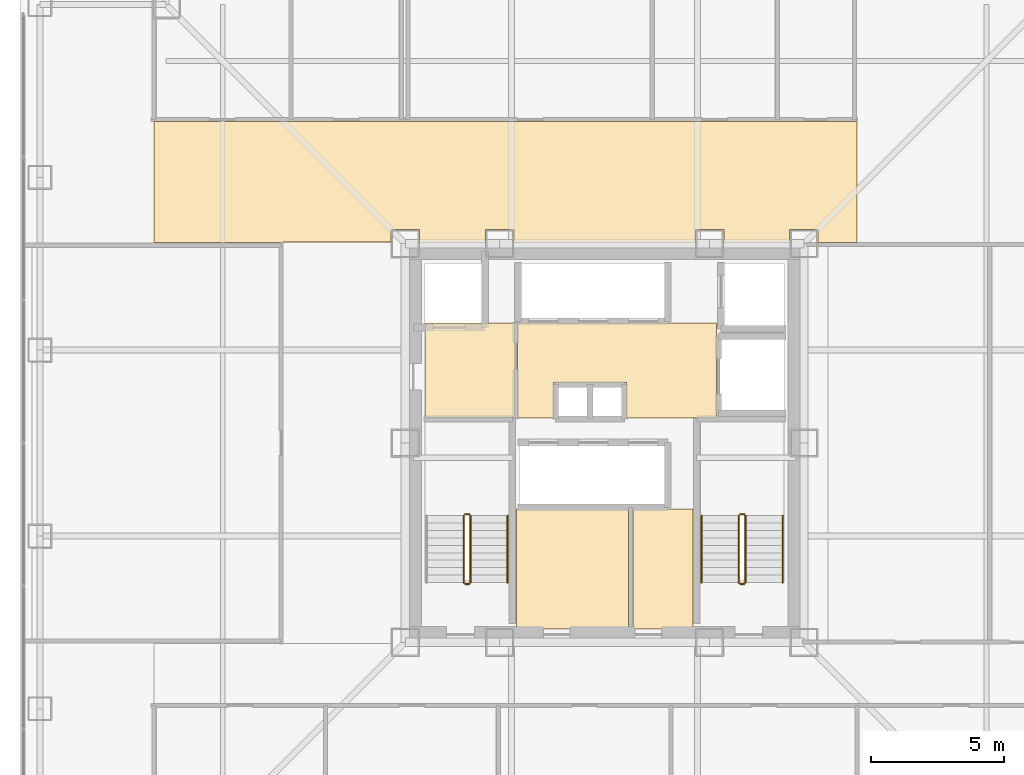
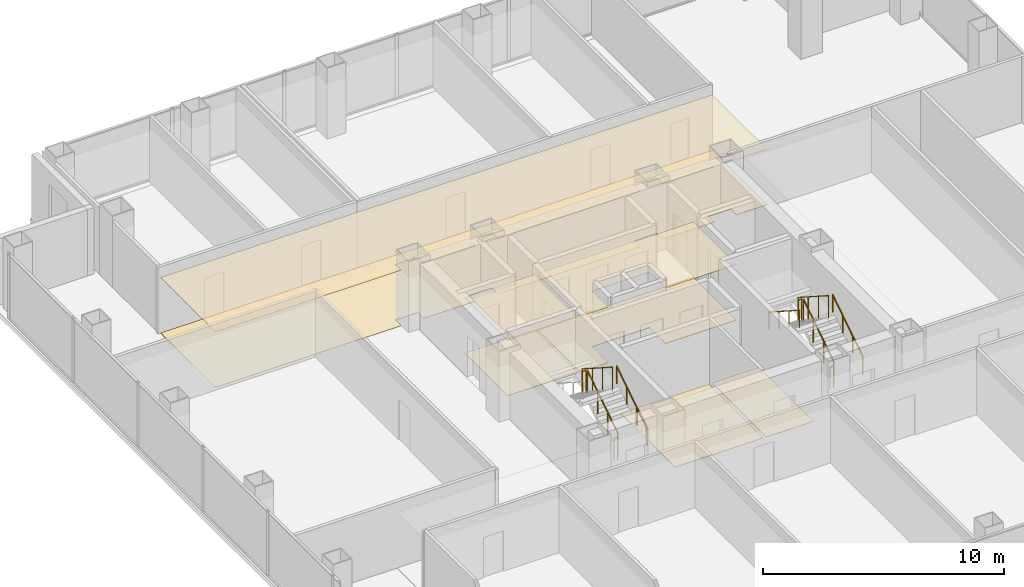
# One storey, part 16 of 17: 11 railings, 8 coverings.
"""IFC4 building model written with IfcOpenShell, lengths in metres."""

from ifc_helpers import new_model, si_unit, direction, frame, origin, origin_2d, place, context, subcontext, project, spatial, polyline, circle, outline, extrude, material, layer, layer_set, type_object, element, save


model = new_model("IFC4")

# Units and contexts
model_context = context("Model", 3, precision=1e-05, world=origin(), true_north=direction((0.0, 1.0)))
body_context = subcontext(model_context, "Body", "Model", "MODEL_VIEW")
ifc_project = project(units=[si_unit("LENGTHUNIT", "METRE"), si_unit("AREAUNIT", "SQUARE_METRE"), si_unit("VOLUMEUNIT", "CUBIC_METRE"), si_unit("PLANEANGLEUNIT", "RADIAN"), si_unit("MASSUNIT", "GRAM", prefix="KILO")], contexts=[model_context])

# Site, building, storey
site_placement = place(None, origin())
site = spatial("IfcSite", under=ifc_project, at=site_placement, CompositionType="ELEMENT")
building_placement = place(site_placement, origin())
building = spatial("IfcBuilding", under=site, at=building_placement, Name="Trevonay Congress Spire", CompositionType="ELEMENT")
storey_placement = place(building_placement, frame((0.0, 0.0, 108.39990234375)))
storey = spatial("IfcBuildingStorey", under=building, at=storey_placement, Name="L27", CompositionType="ELEMENT", Elevation=108.39990234375)

# Coverings
ifc_material_1 = material(Name="Acoustic Mineral Fibre Board", Category="gypsum")
ifc_layer_1 = layer(ifc_material_1, 0.02490234375, Name="Acoustic Mineral Fibre Board")
ifc_layer_set_1 = layer_set([ifc_layer_1], Name="Acoustic Mineral Fibre Board")
covering_type_1 = type_object("IfcCoveringType", Name="COV-CEIL-ACOUSTIC", PredefinedType="CEILING", material=ifc_layer_set_1)
covering_1_placement = place(storey_placement, frame((0.0, 0.0, 2.81005859375)))
element("IfcCovering", 1, at=covering_1_placement, inside=storey, type_object=covering_type_1, Name="L27 Firefighting Lift Lobby West acoustic suspended ceiling", PredefinedType="CEILING", context=body_context, shape_type="SweptSolid", body=[
    extrude(outline(polyline([(-6.75, 0.9599609375), (-3.3798828125, 0.9599609375), (-3.3798828125, 4.52001953125), (-6.75, 4.52001953125), (-6.75, 0.9599609375)])), origin(), (0.0, 0.0, 1.0), 0.025146484375),
])
covering_2_placement = place(storey_placement, frame((0.0, 0.0, 2.81005859375)))
element("IfcCovering", 2, at=covering_2_placement, inside=storey, type_object=covering_type_1, Name="L27 Central and High-Rise Passenger Lift Lobby acoustic suspended ceiling", PredefinedType="CEILING", context=body_context, shape_type="SweptSolid", body=[
    extrude(outline(polyline([(-3.280029296875, 0.949951171875), (-1.919921875, 0.949951171875), (-1.919921875, 2.280029296875), (0.820068359375, 2.280029296875), (0.820068359375, 0.949951171875), (4.219970703125, 0.949951171875), (4.219970703125, 4.52001953125), (-3.280029296875, 4.52001953125), (-3.280029296875, 0.949951171875)])), origin(), (0.0, 0.0, 1.0), 0.025146484375),
])
covering_3_placement = place(storey_placement, frame((0.0, 0.0, 2.81005859375)))
element("IfcCovering", 3, at=covering_3_placement, inside=storey, type_object=covering_type_1, Name="L27 North Sky Promenade Salon acoustic suspended ceiling", PredefinedType="CEILING", context=body_context, shape_type="SweptSolid", body=[
    extrude(outline(polyline([(-16.949951171875, 12.10009765625), (9.5, 12.10009765625), (9.5, 7.550048828125), (8.034912109375, 7.550048828125), (8.034912109375, 8.034912109375), (6.965087890625, 8.034912109375), (6.965087890625, 7.550048828125), (4.485107421875, 7.550048828125), (4.485107421875, 8.034912109375), (3.4150390625, 8.034912109375), (3.4150390625, 7.550048828125), (-3.4150390625, 7.550048828125), (-3.4150390625, 8.034912109375), (-4.485107421875, 8.034912109375), (-4.485107421875, 7.550048828125), (-6.965087890625, 7.550048828125), (-6.965087890625, 8.034912109375), (-8.034912109375, 8.034912109375), (-8.034912109375, 7.56005859375), (-12.110107421875, 7.56005859375), (-12.110107421875, 7.550048828125), (-16.949951171875, 7.550048828125), (-16.949951171875, 12.10009765625)])), origin(), (0.0, 0.0, 1.0), 0.025146484375),
])
ifc_material_2 = material(Name="Polished Granite Floor Tile", Category="masonry")
ifc_layer_2 = layer(ifc_material_2, 0.02001953125, Name="Polished Granite Floor Tile")
ifc_layer_set_2 = layer_set([ifc_layer_2], Name="Polished Granite Floor Tile")
covering_type_2 = type_object("IfcCoveringType", Name="COV-FLOOR-STONE", PredefinedType="FLOORING", material=ifc_layer_set_2)
covering_4_placement = place(storey_placement, origin())
element("IfcCovering", 4, at=covering_4_placement, inside=storey, type_object=covering_type_2, Name="L27 Firefighting Lift Lobby West floor finish", PredefinedType="FLOORING", context=body_context, shape_type="SweptSolid", body=[
    extrude(outline(polyline([(-6.75, 0.9599609375), (-3.3798828125, 0.9599609375), (-3.3798828125, 4.52001953125), (-6.75, 4.52001953125), (-6.75, 0.9599609375)])), origin(), (0.0, 0.0, 1.0), 0.02001953125),
])
covering_5_placement = place(storey_placement, origin())
element("IfcCovering", 5, at=covering_5_placement, inside=storey, type_object=covering_type_2, Name="L27 Central and High-Rise Passenger Lift Lobby floor finish", PredefinedType="FLOORING", context=body_context, shape_type="SweptSolid", body=[
    extrude(outline(polyline([(-3.280029296875, 0.949951171875), (-1.919921875, 0.949951171875), (-1.919921875, 2.280029296875), (0.820068359375, 2.280029296875), (0.820068359375, 0.949951171875), (4.219970703125, 0.949951171875), (4.219970703125, 4.52001953125), (-3.280029296875, 4.52001953125), (-3.280029296875, 0.949951171875)])), origin(), (0.0, 0.0, 1.0), 0.02001953125),
])
covering_6_placement = place(storey_placement, origin())
element("IfcCovering", 6, at=covering_6_placement, inside=storey, type_object=covering_type_2, Name="L27 Translation Equipment Hub floor finish", PredefinedType="FLOORING", context=body_context, shape_type="SweptSolid", body=[
    extrude(outline(polyline([(-3.320068359375, -7.0), (0.89990234375, -7.0), (0.89990234375, -2.47998046875), (-3.320068359375, -2.47998046875), (-3.320068359375, -7.0)])), origin(), (0.0, 0.0, 1.0), 0.02001953125),
])
covering_7_placement = place(storey_placement, origin())
element("IfcCovering", 7, at=covering_7_placement, inside=storey, type_object=covering_type_2, Name="L27 Floor Supplies Store floor finish", PredefinedType="FLOORING", context=body_context, shape_type="SweptSolid", body=[
    extrude(outline(polyline([(1.06005859375, -7.0), (3.320068359375, -7.0), (3.320068359375, -2.47998046875), (1.06005859375, -2.47998046875), (1.06005859375, -7.0)])), origin(), (0.0, 0.0, 1.0), 0.02001953125),
])
ifc_material_3 = material(Name="Engineered Oak Flooring", Category="wood")
ifc_layer_3 = layer(ifc_material_3, 0.01806640625, Name="Engineered Oak Flooring")
ifc_layer_set_3 = layer_set([ifc_layer_3], Name="Engineered Oak Flooring")
covering_type_3 = type_object("IfcCoveringType", Name="COV-FLOOR-TIMBER", PredefinedType="FLOORING", material=ifc_layer_set_3)
covering_8_placement = place(storey_placement, origin())
element("IfcCovering", 8, at=covering_8_placement, inside=storey, type_object=covering_type_3, Name="L27 North Sky Promenade Salon floor finish", PredefinedType="FLOORING", context=body_context, shape_type="SweptSolid", body=[
    extrude(outline(polyline([(-16.949951171875, 12.10009765625), (9.5, 12.10009765625), (9.5, 7.550048828125), (8.034912109375, 7.550048828125), (8.034912109375, 8.034912109375), (6.965087890625, 8.034912109375), (6.965087890625, 7.550048828125), (4.485107421875, 7.550048828125), (4.485107421875, 8.034912109375), (3.4150390625, 8.034912109375), (3.4150390625, 7.550048828125), (-3.4150390625, 7.550048828125), (-3.4150390625, 8.034912109375), (-4.485107421875, 8.034912109375), (-4.485107421875, 7.550048828125), (-6.965087890625, 7.550048828125), (-6.965087890625, 8.034912109375), (-8.034912109375, 8.034912109375), (-8.034912109375, 7.56005859375), (-12.110107421875, 7.56005859375), (-12.110107421875, 7.550048828125), (-16.949951171875, 7.550048828125), (-16.949951171875, 12.10009765625)])), origin(), (0.0, 0.0, 1.0), 0.01806640625),
])

# Railings
ifc_material_4 = material(Name="Pale Anodised Aluminium EN AW-6063-T6", Category="aluminium")
railing_type_1 = type_object("IfcRailingType", Name="RAL-STAIR-GUARD-110", PredefinedType="GUARDRAIL", material=ifc_material_4)
railing_1_placement = place(storey_placement, frame((-5.050048828125, -5.25, 0.18017578125)))
element("IfcRailing", 9, at=railing_1_placement, inside=storey, type_object=railing_type_1, Name="L27 ST-1 stair guard 1", PredefinedType="GUARDRAIL", context=body_context, shape_type="SweptSolid", body=[
    extrude(circle(Radius=0.02392578125, at=origin_2d()), frame((0.0, 0.0, 1.1259765625), z_axis=(0.0, 0.841199657755, 0.540724639528), x_axis=(-1.0, 0.0, 0.0)), (0.0, 0.0, 1.0), 2.995849609375),
    extrude(circle(Radius=0.02099609375, at=origin_2d()), origin(), (0.0, 0.0, 1.0), 1.101806640625),
    extrude(circle(Radius=0.02099609375, at=origin_2d()), frame((0.0, 0.840087890625, 0.5400390625)), (0.0, 0.0, 1.0), 1.101806640625),
    extrude(circle(Radius=0.02099609375, at=origin_2d()), frame((0.0, 1.679931640625, 1.079833984375)), (0.0, 0.0, 1.0), 1.101806640625),
    extrude(circle(Radius=0.02099609375, at=origin_2d()), frame((0.0, 2.52001953125, 1.619873046875)), (0.0, 0.0, 1.0), 1.101806640625),
])
railing_2_placement = place(storey_placement, frame((-5.10009765625, -2.679931640625, 1.800048828125)))
element("IfcRailing", 10, at=railing_2_placement, inside=storey, type_object=railing_type_1, Name="L27 ST-1 stair guard 2", PredefinedType="GUARDRAIL", context=body_context, shape_type="SweptSolid", body=[
    extrude(circle(Radius=0.02392578125, at=origin_2d()), frame((0.0, 0.0, 1.1259765625), z_axis=(-1.0, 0.0, 0.0), x_axis=(0.0, -1.0, 0.0)), (0.0, 0.0, 1.0), 0.14990234375),
    extrude(circle(Radius=0.02099609375, at=origin_2d()), origin(), (0.0, 0.0, 1.0), 1.101806640625),
    extrude(circle(Radius=0.02099609375, at=origin_2d()), frame((-0.14990234375, 0.0, 0.0)), (0.0, 0.0, 1.0), 1.101806640625),
])
railing_3_placement = place(storey_placement, frame((-5.300048828125, -2.72998046875, 1.97998046875)))
element("IfcRailing", 11, at=railing_3_placement, inside=storey, type_object=railing_type_1, Name="L27 ST-1 stair guard 3", PredefinedType="GUARDRAIL", context=body_context, shape_type="SweptSolid", body=[
    extrude(circle(Radius=0.02392578125, at=origin_2d()), frame((0.0, 0.0, 1.1259765625), z_axis=(0.0, -0.841162588446, 0.540782303519), x_axis=(1.0, 0.0, 0.0)), (0.0, 0.0, 1.0), 2.995849609375),
    extrude(circle(Radius=0.02099609375, at=origin_2d()), origin(), (0.0, 0.0, 1.0), 1.101806640625),
    extrude(circle(Radius=0.02099609375, at=origin_2d()), frame((0.0, -0.840087890625, 0.5400390625)), (0.0, 0.0, 1.0), 1.101806640625),
    extrude(circle(Radius=0.02099609375, at=origin_2d()), frame((0.0, -1.679931640625, 1.080078125)), (0.0, 0.0, 1.0), 1.101806640625),
    extrude(circle(Radius=0.02099609375, at=origin_2d()), frame((0.0, -2.52001953125, 1.6201171875)), (0.0, 0.0, 1.0), 1.101806640625),
])
railing_4_placement = place(storey_placement, frame((-5.10009765625, -5.300048828125, 0.0)))
element("IfcRailing", 12, at=railing_4_placement, inside=storey, type_object=railing_type_1, Name="L27 ST-1 stair guard 4", PredefinedType="GUARDRAIL", context=body_context, shape_type="SweptSolid", body=[
    extrude(circle(Radius=0.02392578125, at=origin_2d()), frame((0.0, 0.0, 1.1259765625), z_axis=(-1.0, 0.0, 0.0), x_axis=(0.0, -1.0, 0.0)), (0.0, 0.0, 1.0), 0.14990234375),
    extrude(circle(Radius=0.02099609375, at=origin_2d()), origin(), (0.0, 0.0, 1.0), 1.101806640625),
    extrude(circle(Radius=0.02099609375, at=origin_2d()), frame((-0.14990234375, 0.0, 0.0)), (0.0, 0.0, 1.0), 1.101806640625),
])
railing_5_placement = place(storey_placement, frame((5.300048828125, -5.25, 0.18017578125)))
element("IfcRailing", 13, at=railing_5_placement, inside=storey, type_object=railing_type_1, Name="L27 ST-2 stair guard 1", PredefinedType="GUARDRAIL", context=body_context, shape_type="SweptSolid", body=[
    extrude(circle(Radius=0.02392578125, at=origin_2d()), frame((0.0, 0.0, 1.1259765625), z_axis=(0.0, 0.841199657755, 0.540724639528), x_axis=(-1.0, 0.0, 0.0)), (0.0, 0.0, 1.0), 2.995849609375),
    extrude(circle(Radius=0.02099609375, at=origin_2d()), origin(), (0.0, 0.0, 1.0), 1.101806640625),
    extrude(circle(Radius=0.02099609375, at=origin_2d()), frame((0.0, 0.840087890625, 0.5400390625)), (0.0, 0.0, 1.0), 1.101806640625),
    extrude(circle(Radius=0.02099609375, at=origin_2d()), frame((0.0, 1.679931640625, 1.079833984375)), (0.0, 0.0, 1.0), 1.101806640625),
    extrude(circle(Radius=0.02099609375, at=origin_2d()), frame((0.0, 2.52001953125, 1.619873046875)), (0.0, 0.0, 1.0), 1.101806640625),
])
railing_6_placement = place(storey_placement, frame((5.25, -2.679931640625, 1.800048828125)))
element("IfcRailing", 14, at=railing_6_placement, inside=storey, type_object=railing_type_1, Name="L27 ST-2 stair guard 2", PredefinedType="GUARDRAIL", context=body_context, shape_type="SweptSolid", body=[
    extrude(circle(Radius=0.02392578125, at=origin_2d()), frame((0.0, 0.0, 1.1259765625), z_axis=(-1.0, 0.0, 0.0), x_axis=(0.0, -1.0, 0.0)), (0.0, 0.0, 1.0), 0.14990234375),
    extrude(circle(Radius=0.02099609375, at=origin_2d()), origin(), (0.0, 0.0, 1.0), 1.101806640625),
    extrude(circle(Radius=0.02099609375, at=origin_2d()), frame((-0.14990234375, 0.0, 0.0)), (0.0, 0.0, 1.0), 1.101806640625),
])
railing_7_placement = place(storey_placement, frame((5.050048828125, -2.72998046875, 1.97998046875)))
element("IfcRailing", 15, at=railing_7_placement, inside=storey, type_object=railing_type_1, Name="L27 ST-2 stair guard 3", PredefinedType="GUARDRAIL", context=body_context, shape_type="SweptSolid", body=[
    extrude(circle(Radius=0.02392578125, at=origin_2d()), frame((0.0, 0.0, 1.1259765625), z_axis=(0.0, -0.841162588446, 0.540782303519), x_axis=(1.0, 0.0, 0.0)), (0.0, 0.0, 1.0), 2.995849609375),
    extrude(circle(Radius=0.02099609375, at=origin_2d()), origin(), (0.0, 0.0, 1.0), 1.101806640625),
    extrude(circle(Radius=0.02099609375, at=origin_2d()), frame((0.0, -0.840087890625, 0.5400390625)), (0.0, 0.0, 1.0), 1.101806640625),
    extrude(circle(Radius=0.02099609375, at=origin_2d()), frame((0.0, -1.679931640625, 1.080078125)), (0.0, 0.0, 1.0), 1.101806640625),
    extrude(circle(Radius=0.02099609375, at=origin_2d()), frame((0.0, -2.52001953125, 1.6201171875)), (0.0, 0.0, 1.0), 1.101806640625),
])
railing_8_placement = place(storey_placement, frame((5.25, -5.300048828125, 0.0)))
element("IfcRailing", 16, at=railing_8_placement, inside=storey, type_object=railing_type_1, Name="L27 ST-2 stair guard 4", PredefinedType="GUARDRAIL", context=body_context, shape_type="SweptSolid", body=[
    extrude(circle(Radius=0.02392578125, at=origin_2d()), frame((0.0, 0.0, 1.1259765625), z_axis=(-1.0, 0.0, 0.0), x_axis=(0.0, -1.0, 0.0)), (0.0, 0.0, 1.0), 0.14990234375),
    extrude(circle(Radius=0.02099609375, at=origin_2d()), origin(), (0.0, 0.0, 1.0), 1.101806640625),
    extrude(circle(Radius=0.02099609375, at=origin_2d()), frame((-0.14990234375, 0.0, 0.0)), (0.0, 0.0, 1.0), 1.101806640625),
])
railing_type_2 = type_object("IfcRailingType", Name="RAL-STAIR-HANDRAIL", PredefinedType="HANDRAIL", material=ifc_material_4)
for number, where, name in (
    (17, (-3.64990234375, -5.25, 0.18017578125), "L27 ST-1 stair handrail 1"),
    (18, (6.699951171875, -5.25, 0.18017578125), "L27 ST-2 stair handrail 1"),
):
    element("IfcRailing", number, at=place(storey_placement, frame(where)), inside=storey, type_object=railing_type_2, Name=name, PredefinedType="HANDRAIL", context=body_context, shape_type="SweptSolid", body=[
        extrude(circle(Radius=0.02392578125, at=origin_2d()), frame((0.0, 0.0, 0.8759765625), z_axis=(0.0, 0.841199657755, 0.540724639528), x_axis=(-1.0, 0.0, 0.0)), (0.0, 0.0, 1.0), 2.995849609375),
        extrude(circle(Radius=0.02099609375, at=origin_2d()), origin(), (0.0, 0.0, 1.0), 0.851806640625),
        extrude(circle(Radius=0.02099609375, at=origin_2d()), frame((0.0, 0.840087890625, 0.5400390625)), (0.0, 0.0, 1.0), 0.851806640625),
        extrude(circle(Radius=0.02099609375, at=origin_2d()), frame((0.0, 1.679931640625, 1.079833984375)), (0.0, 0.0, 1.0), 0.851806640625),
        extrude(circle(Radius=0.02099609375, at=origin_2d()), frame((0.0, 2.52001953125, 1.619873046875)), (0.0, 0.0, 1.0), 0.851806640625),
    ])
railing_9_placement = place(storey_placement, frame((3.64990234375, -2.72998046875, 1.97998046875)))
element("IfcRailing", 19, at=railing_9_placement, inside=storey, type_object=railing_type_2, Name="L27 ST-2 stair handrail 2", PredefinedType="HANDRAIL", context=body_context, shape_type="SweptSolid", body=[
    extrude(circle(Radius=0.02392578125, at=origin_2d()), frame((0.0, 0.0, 0.8759765625), z_axis=(0.0, -0.841162588446, 0.540782303519), x_axis=(1.0, 0.0, 0.0)), (0.0, 0.0, 1.0), 2.995849609375),
    extrude(circle(Radius=0.02099609375, at=origin_2d()), origin(), (0.0, 0.0, 1.0), 0.851806640625),
    extrude(circle(Radius=0.02099609375, at=origin_2d()), frame((0.0, -0.840087890625, 0.5400390625)), (0.0, 0.0, 1.0), 0.851806640625),
    extrude(circle(Radius=0.02099609375, at=origin_2d()), frame((0.0, -1.679931640625, 1.080078125)), (0.0, 0.0, 1.0), 0.851806640625),
    extrude(circle(Radius=0.02099609375, at=origin_2d()), frame((0.0, -2.52001953125, 1.6201171875)), (0.0, 0.0, 1.0), 0.851806640625),
])

save(model, "model.ifc")
